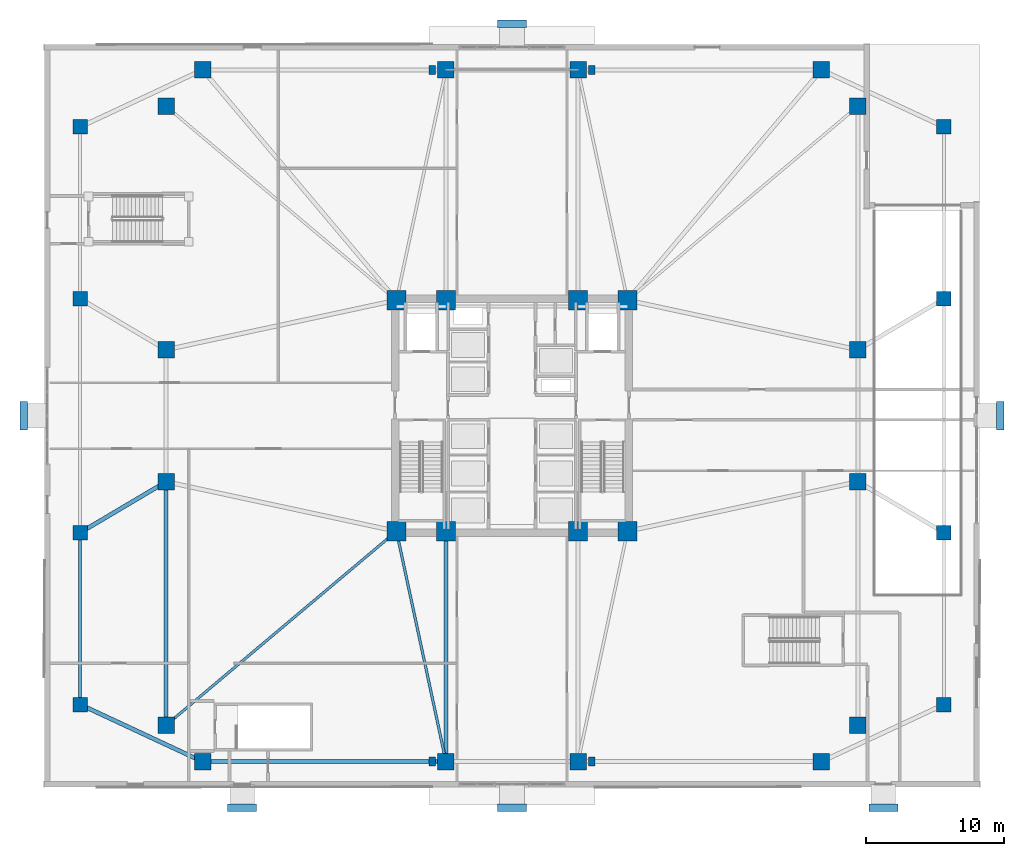
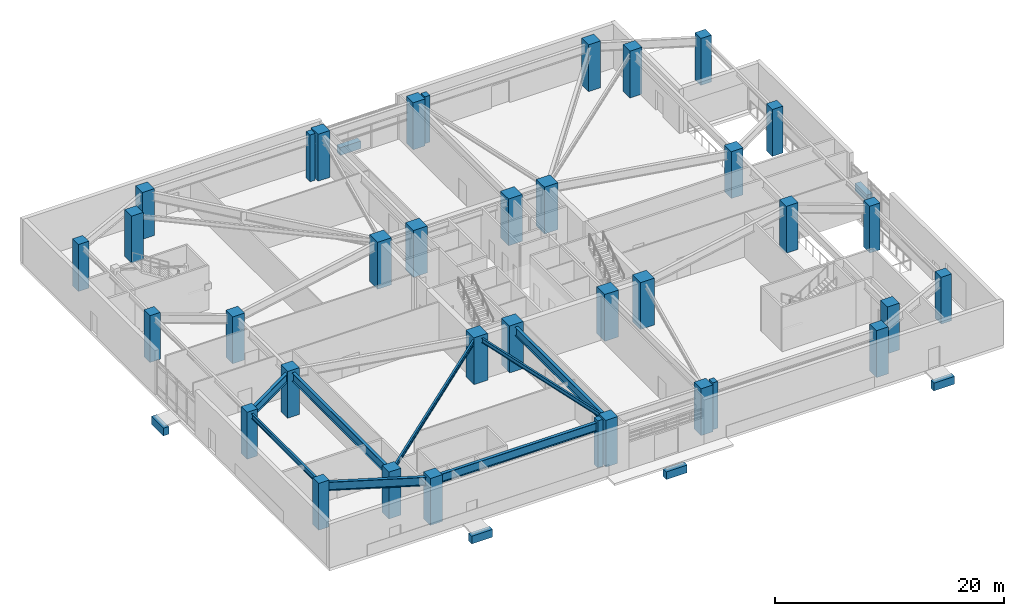
# One storey, part 1 of 21: 36 columns, 8 beams, 6 footings.
"""IFC4 building model written with IfcOpenShell, lengths in metres."""

from ifc_helpers import new_model, si_unit, direction, frame, origin, origin_2d, place, context, subcontext, project, spatial, rectangle, i_section, extrude, material, layer, layer_set, material_profile, profile_set, type_object, element, save


model = new_model("IFC4")

# Units and contexts
model_context = context("Model", 3, precision=1e-05, world=origin(), true_north=direction((0.0, 1.0)))
body_context = subcontext(model_context, "Body", "Model", "MODEL_VIEW")
ifc_project = project(units=[si_unit("LENGTHUNIT", "METRE"), si_unit("AREAUNIT", "SQUARE_METRE"), si_unit("VOLUMEUNIT", "CUBIC_METRE"), si_unit("PLANEANGLEUNIT", "RADIAN"), si_unit("MASSUNIT", "GRAM", prefix="KILO")], contexts=[model_context])

# Site, building, storey
site_placement = place(None, origin())
site = spatial("IfcSite", under=ifc_project, at=site_placement, CompositionType="ELEMENT")
building_placement = place(site_placement, origin())
building = spatial("IfcBuilding", under=site, at=building_placement, Name="Cairnveth Concourse Tower", CompositionType="ELEMENT")
storey_placement = place(building_placement, origin())
storey = spatial("IfcBuildingStorey", under=building, at=storey_placement, Name="L00", CompositionType="ELEMENT", Elevation=0.0)

# Footings
ifc_material_1 = material(Name="Concrete N50 (50 MPa)", Category="concrete")
ifc_layer = layer(ifc_material_1, 0.820068359375)
ifc_layer_set = layer_set([ifc_layer], Name="Concrete N50 (50 MPa)")
footing_type = type_object("IfcFootingType", Name="THRESHOLD RAMP BEARING PAD 2100X550X820", PredefinedType="PAD_FOOTING", material=ifc_layer_set)
for number, where, z_axis, x_axis, name in (
    (1, (52.0, 67.5, -1.0), (0.0, 0.0, 1.0), (1.0, 0.0, 0.0), "Threshold Ramp Bearing Pad AR-N"),
    (2, (52.0, 10.5, -1.0), (0.0, 0.0, 1.0), (1.0, 0.0, 0.0), "Threshold Ramp Bearing Pad AR-S"),
):
    element("IfcFooting", number, at=place(storey_placement, frame(where, z_axis=z_axis, x_axis=x_axis)), inside=storey, type_object=footing_type, Name=name, PredefinedType="PAD_FOOTING", context=body_context, shape_type="SweptSolid", body=[
        extrude(rectangle(XDim=2.10009765625, YDim=0.550048828125, at=origin_2d()), origin(), (0.0, 0.0, 1.0), 0.820068359375),
    ])
for number, where, z_axis, x_axis, name in (
    (3, (16.5, 39.0, -1.0), (0.0, 0.0, 1.0), (1.0, 0.0, 0.0), "Threshold Ramp Bearing Pad AR-W"),
    (4, (87.5, 39.0, -1.0), (0.0, 0.0, 1.0), (1.0, 0.0, 0.0), "Threshold Ramp Bearing Pad AR-E"),
):
    element("IfcFooting", number, at=place(storey_placement, frame(where, z_axis=z_axis, x_axis=x_axis)), inside=storey, type_object=footing_type, Name=name, PredefinedType="PAD_FOOTING", context=body_context, shape_type="SweptSolid", body=[
        extrude(rectangle(XDim=0.550048828125, YDim=2.10009765625, at=origin_2d()), origin(), (0.0, 0.0, 1.0), 0.820068359375),
    ])
for number, where, z_axis, x_axis, name in (
    (5, (32.3798828125, 10.5, -1.0), (0.0, 0.0, 1.0), (1.0, 0.0, 0.0), "Threshold Ramp Bearing Pad AR-SW"),
    (6, (79.0, 10.5, -1.0), (0.0, 0.0, 1.0), (1.0, 0.0, 0.0), "Threshold Ramp Bearing Pad AR-SE"),
):
    element("IfcFooting", number, at=place(storey_placement, frame(where, z_axis=z_axis, x_axis=x_axis)), inside=storey, type_object=footing_type, Name=name, PredefinedType="PAD_FOOTING", context=body_context, shape_type="SweptSolid", body=[
        extrude(rectangle(XDim=2.10009765625, YDim=0.550048828125, at=origin_2d()), origin(), (0.0, 0.0, 1.0), 0.820068359375),
    ])

# Columns
ifc_material_2 = material(Name="Concrete N80 (80 MPa)", Category="concrete")
ifc_material_profile_1 = material_profile(ifc_material_2, rectangle(XDim=1.39990234375, YDim=1.39990234375, at=origin_2d()), Name="RC-COL-1400x1400")
ifc_profile_set_1 = profile_set([ifc_material_profile_1], Name="Concrete N80 (80 MPa)")
column_type_1 = type_object("IfcColumnType", Name="CORE COLUMN 1400X1400", PredefinedType="COLUMN", material=ifc_profile_set_1)
for number, where, z_axis, x_axis, name in (
    (7, (43.60009765625, 30.60009765625, 0.0), (0.0, 0.0, 1.0), (1.0, 0.0, 0.0), "Column CC1 L00"),
    (8, (47.199951171875, 30.60009765625, 0.0), (0.0, 0.0, 1.0), (1.0, 0.0, 0.0), "Column CC2 L00"),
    (9, (56.800048828125, 30.60009765625, 0.0), (0.0, 0.0, 1.0), (1.0, 0.0, 0.0), "Column CC3 L00"),
    (10, (60.39990234375, 30.60009765625, 0.0), (0.0, 0.0, 1.0), (1.0, 0.0, 0.0), "Column CC4 L00"),
    (11, (43.60009765625, 47.39990234375, 0.0), (0.0, 0.0, 1.0), (1.0, 0.0, 0.0), "Column CC5 L00"),
    (12, (47.199951171875, 47.39990234375, 0.0), (0.0, 0.0, 1.0), (1.0, 0.0, 0.0), "Column CC6 L00"),
    (13, (56.800048828125, 47.39990234375, 0.0), (0.0, 0.0, 1.0), (1.0, 0.0, 0.0), "Column CC7 L00"),
    (14, (60.39990234375, 47.39990234375, 0.0), (0.0, 0.0, 1.0), (1.0, 0.0, 0.0), "Column CC8 L00"),
):
    element("IfcColumn", number, at=place(storey_placement, frame(where, z_axis=z_axis, x_axis=x_axis)), inside=storey, type_object=column_type_1, Name=name, PredefinedType="COLUMN", context=body_context, shape_type="SweptSolid", body=[
        extrude(rectangle(XDim=1.39990234375, YDim=1.39990234375, at=origin_2d()), origin(), (0.0, 0.0, 1.0), 5.0),
    ])
ifc_material_3 = material(Name="Concrete N65 (65 MPa)", Category="concrete")
ifc_material_profile_2 = material_profile(ifc_material_3, rectangle(XDim=0.5, YDim=0.64990234375, at=origin_2d()), Name="RC-PIL-650x500")
ifc_profile_set_2 = profile_set([ifc_material_profile_2], Name="Concrete N65 (65 MPa)")
column_type_2 = type_object("IfcColumnType", Name="CORNER PIER PILASTER 650X500", PredefinedType="PILASTER", material=ifc_profile_set_2)
for number, where, z_axis, x_axis, name in (
    (15, (46.199951171875, 13.85009765625, 0.0), (0.0, 0.0, 1.0), (1.0, 0.0, 0.0), "Column PIL-G1 L00"),
    (16, (57.800048828125, 13.85009765625, 0.0), (0.0, 0.0, 1.0), (1.0, 0.0, 0.0), "Column PIL-G2 L00"),
    (17, (46.199951171875, 64.14990234375, 0.0), (0.0, 0.0, 1.0), (1.0, 0.0, 0.0), "Column PIL-G3 L00"),
    (18, (57.800048828125, 64.14990234375, 0.0), (0.0, 0.0, 1.0), (1.0, 0.0, 0.0), "Column PIL-G4 L00"),
):
    element("IfcColumn", number, at=place(storey_placement, frame(where, z_axis=z_axis, x_axis=x_axis)), inside=storey, type_object=column_type_2, Name=name, PredefinedType="PILASTER", context=body_context, shape_type="SweptSolid", body=[
        extrude(rectangle(XDim=0.5, YDim=0.64990234375, at=origin_2d()), origin(), (0.0, 0.0, 1.0), 5.0),
    ])
ifc_material_profile_3 = material_profile(ifc_material_2, rectangle(XDim=1.199951171875, YDim=1.199951171875, at=origin_2d()), Name="RC-COL-1200x1200")
ifc_profile_set_3 = profile_set([ifc_material_profile_3], Name="Concrete N80 (80 MPa)")
column_type_3 = type_object("IfcColumnType", Name="PERIMETER PIER COLUMN 1200X1200", PredefinedType="COLUMN", material=ifc_profile_set_3)
for number, where, z_axis, x_axis, name in (
    (19, (29.5, 13.85009765625, 0.0), (0.0, 0.0, 1.0), (1.0, 0.0, 0.0), "Column Z1-S1 L00"),
    (20, (47.199951171875, 13.85009765625, 0.0), (0.0, 0.0, 1.0), (1.0, 0.0, 0.0), "Column Z1-S2 L00"),
    (21, (56.800048828125, 13.85009765625, 0.0), (0.0, 0.0, 1.0), (1.0, 0.0, 0.0), "Column Z1-S3 L00"),
    (22, (74.5, 13.85009765625, 0.0), (0.0, 0.0, 1.0), (1.0, 0.0, 0.0), "Column Z1-S4 L00"),
    (23, (77.14990234375, 16.5, 0.0), (0.0, 0.0, 1.0), (1.0, 0.0, 0.0), "Column Z1-E1 L00"),
    (24, (77.14990234375, 34.199951171875, 0.0), (0.0, 0.0, 1.0), (1.0, 0.0, 0.0), "Column Z1-E2 L00"),
    (25, (77.14990234375, 43.800048828125, 0.0), (0.0, 0.0, 1.0), (1.0, 0.0, 0.0), "Column Z1-E3 L00"),
    (26, (77.14990234375, 61.5, 0.0), (0.0, 0.0, 1.0), (1.0, 0.0, 0.0), "Column Z1-E4 L00"),
    (27, (74.5, 64.14990234375, 0.0), (0.0, 0.0, 1.0), (1.0, 0.0, 0.0), "Column Z1-N1 L00"),
    (28, (56.800048828125, 64.14990234375, 0.0), (0.0, 0.0, 1.0), (1.0, 0.0, 0.0), "Column Z1-N2 L00"),
    (29, (47.199951171875, 64.14990234375, 0.0), (0.0, 0.0, 1.0), (1.0, 0.0, 0.0), "Column Z1-N3 L00"),
    (30, (29.5, 64.14990234375, 0.0), (0.0, 0.0, 1.0), (1.0, 0.0, 0.0), "Column Z1-N4 L00"),
    (31, (26.85009765625, 61.5, 0.0), (0.0, 0.0, 1.0), (1.0, 0.0, 0.0), "Column Z1-W1 L00"),
    (32, (26.85009765625, 43.800048828125, 0.0), (0.0, 0.0, 1.0), (1.0, 0.0, 0.0), "Column Z1-W2 L00"),
    (33, (26.85009765625, 34.199951171875, 0.0), (0.0, 0.0, 1.0), (1.0, 0.0, 0.0), "Column Z1-W3 L00"),
    (34, (26.85009765625, 16.5, 0.0), (0.0, 0.0, 1.0), (1.0, 0.0, 0.0), "Column Z1-W4 L00"),
):
    element("IfcColumn", number, at=place(storey_placement, frame(where, z_axis=z_axis, x_axis=x_axis)), inside=storey, type_object=column_type_3, Name=name, PredefinedType="COLUMN", context=body_context, shape_type="SweptSolid", body=[
        extrude(rectangle(XDim=1.199951171875, YDim=1.199951171875, at=origin_2d()), origin(), (0.0, 0.0, 1.0), 5.0),
    ])
ifc_material_profile_4 = material_profile(ifc_material_3, rectangle(XDim=1.050048828125, YDim=1.050048828125, at=origin_2d()), Name="RC-COL-1050x1050")
ifc_profile_set_4 = profile_set([ifc_material_profile_4], Name="Concrete N65 (65 MPa)")
column_type_4 = type_object("IfcColumnType", Name="PODIUM CONCOURSE COLUMN 1050X1050", PredefinedType="COLUMN", material=ifc_profile_set_4)
for number, where, z_axis, x_axis, name in (
    (35, (20.60009765625, 18.0, 0.0), (0.0, 0.0, 1.0), (1.0, 0.0, 0.0), "Column PC-W1 L00"),
    (36, (20.60009765625, 30.5, 0.0), (0.0, 0.0, 1.0), (1.0, 0.0, 0.0), "Column PC-W2 L00"),
    (37, (20.60009765625, 47.5, 0.0), (0.0, 0.0, 1.0), (1.0, 0.0, 0.0), "Column PC-W3 L00"),
    (38, (20.60009765625, 60.0, 0.0), (0.0, 0.0, 1.0), (1.0, 0.0, 0.0), "Column PC-W4 L00"),
    (39, (83.39990234375, 18.0, 0.0), (0.0, 0.0, 1.0), (1.0, 0.0, 0.0), "Column PC-E1 L00"),
    (40, (83.39990234375, 30.5, 0.0), (0.0, 0.0, 1.0), (1.0, 0.0, 0.0), "Column PC-E2 L00"),
    (41, (83.39990234375, 47.5, 0.0), (0.0, 0.0, 1.0), (1.0, 0.0, 0.0), "Column PC-E3 L00"),
    (42, (83.39990234375, 60.0, 0.0), (0.0, 0.0, 1.0), (1.0, 0.0, 0.0), "Column PC-E4 L00"),
):
    element("IfcColumn", number, at=place(storey_placement, frame(where, z_axis=z_axis, x_axis=x_axis)), inside=storey, type_object=column_type_4, Name=name, PredefinedType="COLUMN", context=body_context, shape_type="SweptSolid", body=[
        extrude(rectangle(XDim=1.050048828125, YDim=1.050048828125, at=origin_2d()), origin(), (0.0, 0.0, 1.0), 5.0),
    ])

# Beams
ifc_material_4 = material(Name="Steel Grade 350", Category="steel")
ifc_material_profile_5 = material_profile(ifc_material_4, i_section(OverallWidth=0.208984375, OverallDepth=0.532958984375, WebThickness=0.01025390625, FlangeThickness=0.015625, FilletRadius=0.013916015625, at=origin_2d()), Name="530UB92.4")
ifc_profile_set_5 = profile_set([ifc_material_profile_5], Name="Steel Grade 350")
beam_type_1 = type_object("IfcBeamType", Name="PODIUM EDGE SPANDREL 530UB92.4", PredefinedType="SPANDREL", material=ifc_profile_set_5)
beam_1_placement = place(storey_placement, frame((20.60009765625, 18.0, 4.43359375), z_axis=(0.0, 1.0, 0.0), x_axis=(-1.0, 0.0, 0.0)))
element("IfcBeam", 43, at=beam_1_placement, inside=storey, type_object=beam_type_1, Name="Beam PSP-W1 L00", PredefinedType="SPANDREL", context=body_context, shape_type="SweptSolid", body=[
    extrude(i_section(OverallWidth=0.208984375, OverallDepth=0.532958984375, WebThickness=0.01025390625, FlangeThickness=0.015625, FilletRadius=0.013916015625, at=origin_2d()), origin(), (0.0, 0.0, 1.0), 12.5),
])
ifc_material_profile_6 = material_profile(ifc_material_4, i_section(OverallWidth=0.18994140625, OverallDepth=0.45703125, WebThickness=0.009033203125, FlangeThickness=0.014404296875, FilletRadius=0.010986328125, at=origin_2d()), Name="460UB74.6")
ifc_profile_set_6 = profile_set([ifc_material_profile_6], Name="Steel Grade 350")
beam_type_2 = type_object("IfcBeamType", Name="PODIUM FLOOR JOIST 460UB74.6", PredefinedType="JOIST", material=ifc_profile_set_6)
beam_2_placement = place(storey_placement, frame((26.85009765625, 16.5, 4.471435546875), z_axis=(0.765027427674, 0.643997697905, 0.0), x_axis=(-0.643997697905, 0.765027427674, 0.0)))
element("IfcBeam", 44, at=beam_2_placement, inside=storey, type_object=beam_type_2, Name="Beam PJ-SW1 L00", PredefinedType="JOIST", context=body_context, shape_type="SweptSolid", body=[
    extrude(i_section(OverallWidth=0.18994140625, OverallDepth=0.45703125, WebThickness=0.009033203125, FlangeThickness=0.014404296875, FilletRadius=0.010986328125, at=origin_2d()), origin(), (0.0, 0.0, 1.0), 21.89453125),
])
beam_3_placement = place(storey_placement, frame((43.60009765625, 30.60009765625, 4.471435546875), z_axis=(0.210118799239, -0.977675861524, 0.0), x_axis=(0.977675861524, 0.210118799239, 0.0)))
element("IfcBeam", 45, at=beam_3_placement, inside=storey, type_object=beam_type_2, Name="Beam PJ-S-X L00", PredefinedType="JOIST", context=body_context, shape_type="SweptSolid", body=[
    extrude(i_section(OverallWidth=0.18994140625, OverallDepth=0.45703125, WebThickness=0.009033203125, FlangeThickness=0.014404296875, FilletRadius=0.010986328125, at=origin_2d()), origin(), (0.0, 0.0, 1.0), 17.132568359375),
])
ifc_material_profile_7 = material_profile(ifc_material_4, i_section(OverallWidth=0.300048828125, OverallDepth=0.924072265625, WebThickness=0.013916015625, FlangeThickness=0.031982421875, at=origin_2d()), Name="900WB257")
ifc_profile_set_7 = profile_set([ifc_material_profile_7], Name="Steel Grade 350")
beam_type_3 = type_object("IfcBeamType", Name="PODIUM PRIMARY GIRDER 900WB257", PredefinedType="BEAM", material=ifc_profile_set_7)
beam_4_placement = place(storey_placement, frame((20.60009765625, 18.0, 4.238037109375), z_axis=(0.906315208572, -0.422602345842, 0.0), x_axis=(0.422602345842, 0.906315208572, 0.0)))
element("IfcBeam", 46, at=beam_4_placement, inside=storey, type_object=beam_type_3, Name="Beam PG-W-S L00", PredefinedType="BEAM", context=body_context, shape_type="SweptSolid", body=[
    extrude(i_section(OverallWidth=0.300048828125, OverallDepth=0.924072265625, WebThickness=0.013916015625, FlangeThickness=0.031982421875, at=origin_2d()), origin(), (0.0, 0.0, 1.0), 9.81982421875),
])
beam_5_placement = place(storey_placement, frame((20.60009765625, 30.5, 4.238037109375), z_axis=(0.860518044459, 0.509419959523, 0.0), x_axis=(-0.509419959523, 0.860518044459, 0.0)))
element("IfcBeam", 47, at=beam_5_placement, inside=storey, type_object=beam_type_3, Name="Beam PG-W1 L00", PredefinedType="BEAM", context=body_context, shape_type="SweptSolid", body=[
    extrude(i_section(OverallWidth=0.300048828125, OverallDepth=0.924072265625, WebThickness=0.013916015625, FlangeThickness=0.031982421875, at=origin_2d()), origin(), (0.0, 0.0, 1.0), 7.26318359375),
])
beam_6_placement = place(storey_placement, frame((47.199951171875, 13.85009765625, 4.238037109375), z_axis=(0.0, 1.0, 0.0), x_axis=(-1.0, 0.0, 0.0)))
element("IfcBeam", 48, at=beam_6_placement, inside=storey, type_object=beam_type_3, Name="Beam PG-S1 L00", PredefinedType="BEAM", context=body_context, shape_type="SweptSolid", body=[
    extrude(i_section(OverallWidth=0.300048828125, OverallDepth=0.924072265625, WebThickness=0.013916015625, FlangeThickness=0.031982421875, at=origin_2d()), origin(), (0.0, 0.0, 1.0), 16.75),
])
for number, where, z_axis, x_axis, name in (
    (49, (29.5, 13.85009765625, 4.238037109375), (1.0, 0.0, 0.0), (0.0, 1.0, 0.0), "Beam PR-S1 L00"),
    (50, (26.85009765625, 16.5, 4.238037109375), (0.0, 1.0, 0.0), (-1.0, 0.0, 0.0), "Beam PR-W1 L00"),
):
    element("IfcBeam", number, at=place(storey_placement, frame(where, z_axis=z_axis, x_axis=x_axis)), inside=storey, type_object=beam_type_3, Name=name, PredefinedType="BEAM", context=body_context, shape_type="SweptSolid", body=[
        extrude(i_section(OverallWidth=0.300048828125, OverallDepth=0.924072265625, WebThickness=0.013916015625, FlangeThickness=0.031982421875, at=origin_2d()), origin(), (0.0, 0.0, 1.0), 17.699951171875),
    ])

save(model, "model.ifc")
